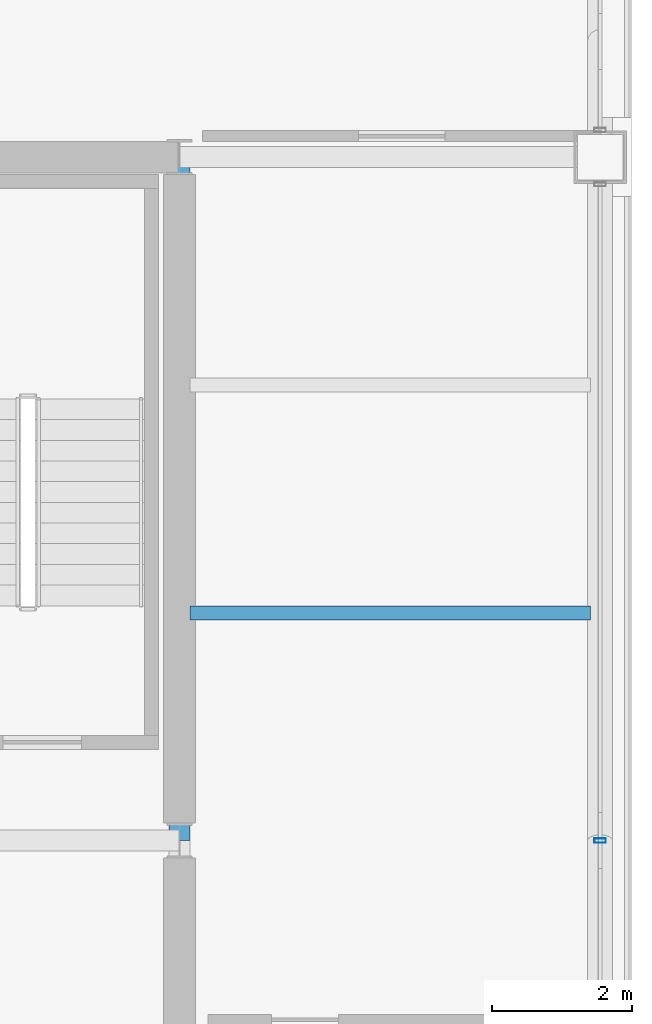
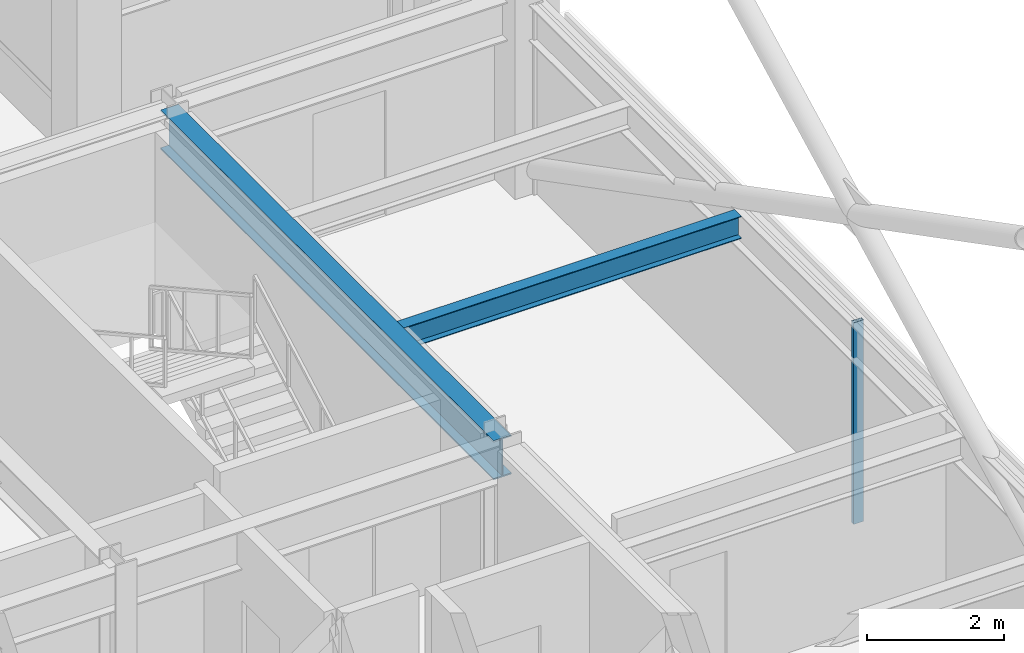
# One storey, part 17 of 32: 2 beams, 1 member, 1 element without a shape of its own.
"""IFC4 building model written with IfcOpenShell, lengths in metres."""

from ifc_helpers import new_model, si_unit, direction, frame, origin, origin_2d, place, context, subcontext, project, spatial, hollow_rectangle, i_section, extrude, material, layer, layer_set, material_profile, profile_set, type_object, element, aggregate, save


model = new_model("IFC4")

# Units and contexts
model_context = context("Model", 3, precision=1e-05, world=origin(), true_north=direction((0.0, 1.0)))
body_context = subcontext(model_context, "Body", "Model", "MODEL_VIEW")
ifc_project = project(units=[si_unit("LENGTHUNIT", "METRE"), si_unit("AREAUNIT", "SQUARE_METRE"), si_unit("VOLUMEUNIT", "CUBIC_METRE"), si_unit("PLANEANGLEUNIT", "RADIAN"), si_unit("MASSUNIT", "GRAM", prefix="KILO")], contexts=[model_context])

# Site, building, storey
site_placement = place(None, origin())
site = spatial("IfcSite", under=ifc_project, at=site_placement, CompositionType="ELEMENT")
building_placement = place(site_placement, origin())
building = spatial("IfcBuilding", under=site, at=building_placement, Name="Brelmoor Portico Tower", CompositionType="ELEMENT")
storey_placement = place(building_placement, frame((0.0, 0.0, 162.300048828125)))
storey = spatial("IfcBuildingStorey", under=building, at=storey_placement, Name="L42", CompositionType="ELEMENT", Elevation=162.300048828125)

# Beams
ifc_material_1 = material(Name="Steel Q355B", Category="steel")
ifc_material_profile_1 = material_profile(ifc_material_1, i_section(OverallWidth=0.199951171875, OverallDepth=0.39990234375, WebThickness=0.008056640625, FlangeThickness=0.012939453125, at=origin_2d()), Name="HN 400x200x8x13")
ifc_profile_set_1 = profile_set([ifc_material_profile_1], Name="Steel Q355B")
beam_type_1 = type_object("IfcBeamType", Name="BM-JS-400", PredefinedType="JOIST", material=ifc_profile_set_1)
beam_1_placement = place(storey_placement, frame((14.699951171875, 3.25, 3.199951171875), z_axis=(1.0, 0.0, 0.0), x_axis=(0.0, 1.0, 0.0)))
element("IfcBeam", 1, at=beam_1_placement, inside=storey, type_object=beam_type_1, Name="L42 Secondary Wing Joist JS-E11", PredefinedType="JOIST", context=body_context, shape_type="SweptSolid", body=[
    extrude(i_section(OverallWidth=0.199951171875, OverallDepth=0.39990234375, WebThickness=0.008056640625, FlangeThickness=0.012939453125, at=origin_2d()), origin(), (0.0, 0.0, 1.0), 5.7099609375),
])
ifc_material_profile_2 = material_profile(ifc_material_1, i_section(OverallWidth=0.300048828125, OverallDepth=0.699951171875, WebThickness=0.012939453125, FlangeThickness=0.02392578125, at=origin_2d()), Name="HN 700x300x13x24")
ifc_profile_set_2 = profile_set([ifc_material_profile_2], Name="Steel Q355B")
beam_type_2 = type_object("IfcBeamType", Name="BM-PG-700", PredefinedType="BEAM", material=ifc_profile_set_2)
beam_2_placement = place(storey_placement, frame((14.550048828125, 0.0, 3.050048828125), z_axis=(0.0, 1.0, 0.0), x_axis=(-1.0, 0.0, 0.0)))
element("IfcBeam", 2, at=beam_2_placement, inside=storey, type_object=beam_type_2, Name="L42 Primary Floor Girder PG-10", PredefinedType="BEAM", context=body_context, shape_type="SweptSolid", body=[
    extrude(i_section(OverallWidth=0.300048828125, OverallDepth=0.699951171875, WebThickness=0.012939453125, FlangeThickness=0.02392578125, at=origin_2d()), origin(), (0.0, 0.0, 1.0), 9.75),
])

# Curtain wall, member
ifc_material_2 = material(Name="Anodised Aluminium Alloy 6063-T6", Category="aluminium")
ifc_layer = layer(ifc_material_2, 0.179931640625)
ifc_layer_set = layer_set([ifc_layer], Name="Anodised Aluminium Alloy 6063-T6")
curtain_wall_type = type_object("IfcCurtainWallType", Name="CW-TOWER-Z3-XB", PredefinedType="NOTDEFINED", material=ifc_layer_set)
curtain_wall_placement = place(storey_placement, origin())
curtain_wall = element("IfcCurtainWall", 3, at=curtain_wall_placement, inside=storey, type_object=curtain_wall_type, Name="L42 Curtain Wall CW-L42-04-2", PredefinedType="NOTDEFINED")
ifc_material_profile_3 = material_profile(ifc_material_2, hollow_rectangle(XDim=0.06494140625, YDim=0.1650390625, WallThickness=0.00390625, at=origin_2d()), Name="ALU MULLION 65x165")
ifc_profile_set_3 = profile_set([ifc_material_profile_3], Name="Anodised Aluminium Alloy 6063-T6")
member_type = type_object("IfcMemberType", Name="MB-CW-MULL-165", PredefinedType="MULLION", material=ifc_profile_set_3)
member_placement = place(storey_placement, frame((20.550048828125, 0.0, -0.199951171875), z_axis=(0.0, 0.0, 1.0), x_axis=(0.0, 1.0, 0.0)))
member = element("IfcMember", 4, at=member_placement, type_object=member_type, Name="CW-L42-04-2 Mullion 01", PredefinedType="MULLION", context=body_context, shape_type="SweptSolid", body=[
    extrude(hollow_rectangle(XDim=0.06494140625, YDim=0.1650390625, WallThickness=0.00390625, at=origin_2d()), origin(), (0.0, 0.0, 1.0), 3.599853515625),
])
aggregate(curtain_wall, [member])

save(model, "model.ifc")
